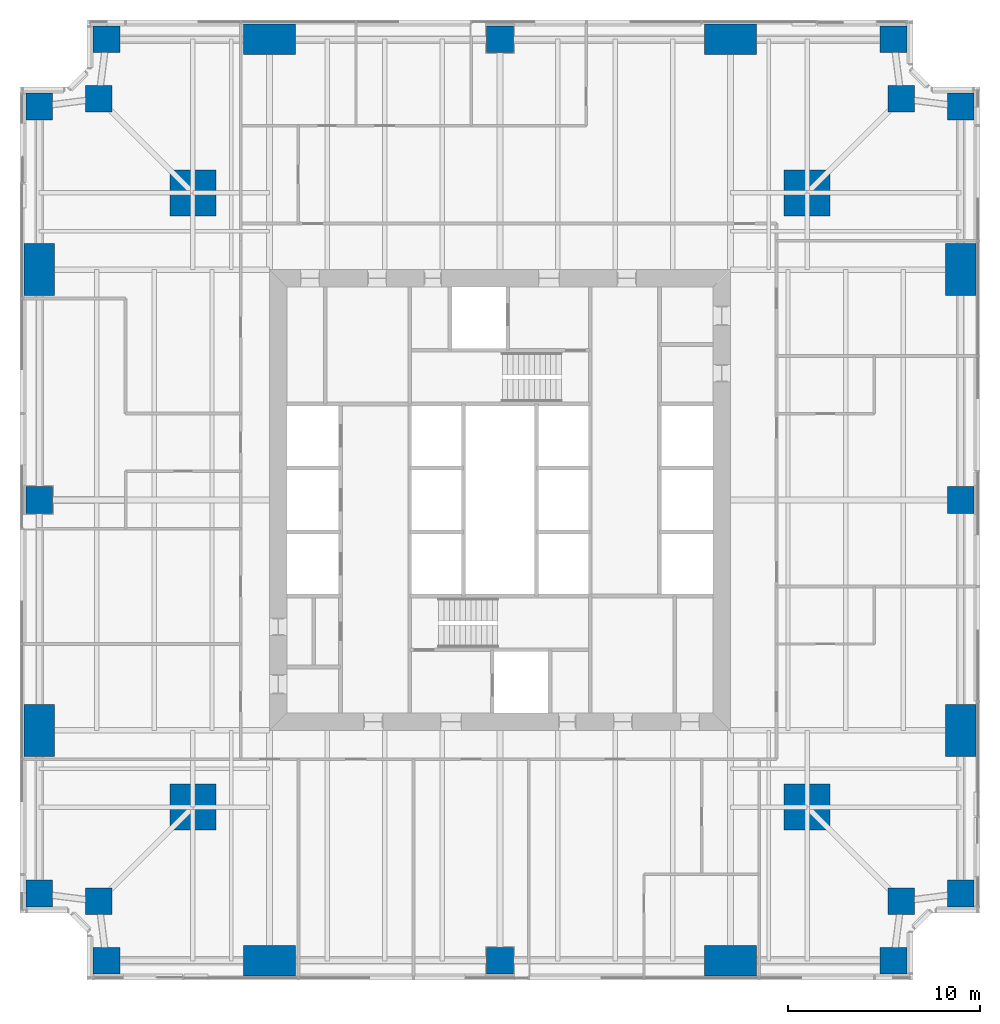
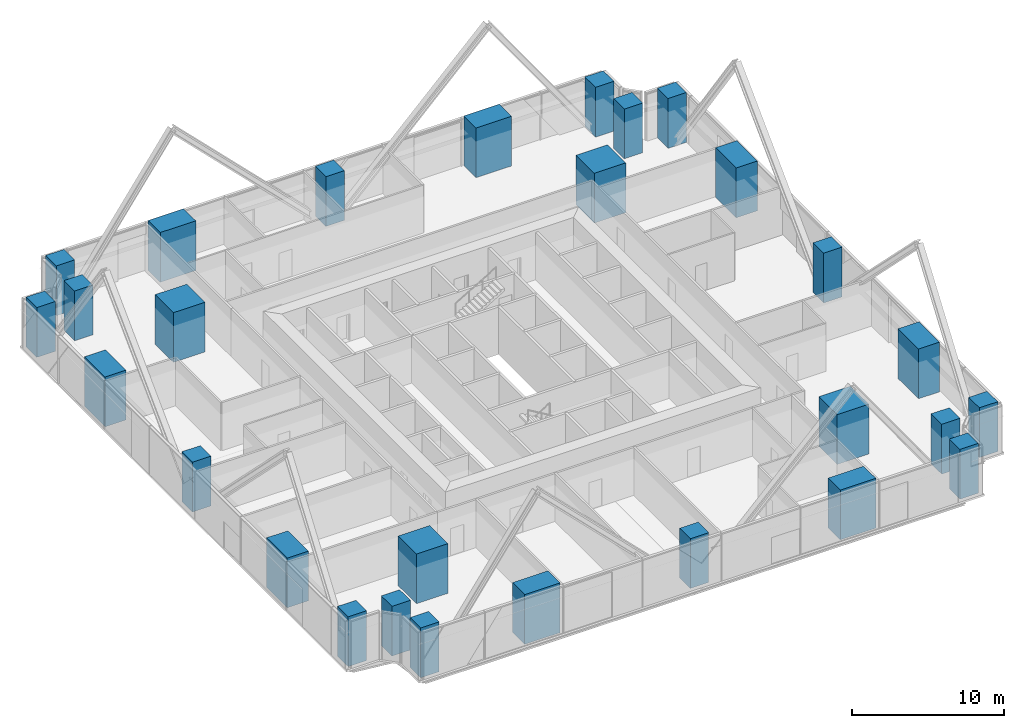
# One storey, part 1 of 13: 28 columns.
"""IFC4 building model written with IfcOpenShell, lengths in metres."""

from ifc_helpers import new_model, si_unit, direction, frame, origin, origin_2d, place, context, subcontext, project, spatial, rectangle, extrude, material, material_profile, profile_set, type_object, element, save


model = new_model("IFC4")

# Units and contexts
model_context = context("Model", 3, precision=1e-05, world=origin(), true_north=direction((0.0, 1.0)))
body_context = subcontext(model_context, "Body", "Model", "MODEL_VIEW")
ifc_project = project(units=[si_unit("LENGTHUNIT", "METRE"), si_unit("AREAUNIT", "SQUARE_METRE"), si_unit("VOLUMEUNIT", "CUBIC_METRE"), si_unit("PLANEANGLEUNIT", "RADIAN"), si_unit("MASSUNIT", "GRAM", prefix="KILO")], contexts=[model_context])

# Site, building, storey
site_placement = place(None, origin())
site = spatial("IfcSite", under=ifc_project, at=site_placement, CompositionType="ELEMENT")
building_placement = place(site_placement, origin())
building = spatial("IfcBuilding", under=site, at=building_placement, Name="Fenwick Lantern Interchange", CompositionType="ELEMENT")
storey_placement = place(building_placement, frame((0.0, 0.0, 67.0)))
storey = spatial("IfcBuildingStorey", under=building, at=storey_placement, Name="L15", CompositionType="ELEMENT", Elevation=67.0)

# Columns
ifc_material = material(Name="Concrete f'c 70 MPa", Category="concrete")
ifc_material_profile_1 = material_profile(ifc_material, rectangle(XDim=2.39990234375, YDim=2.39990234375, at=origin_2d()), Name="RC2400X2400")
ifc_profile_set_1 = profile_set([ifc_material_profile_1], Name="Concrete f'c 70 MPa")
column_type_1 = type_object("IfcColumnType", Name="MEGA COLUMN RC2400X2400", PredefinedType="COLUMN", material=ifc_profile_set_1)
for number, where, z_axis, x_axis, name in (
    (1, (9.0, 9.0, 0.0), (0.0, 0.0, 1.0), (1.0, 0.0, 0.0), "L15/M1"),
    (2, (41.0, 9.0, 0.0), (0.0, 0.0, 1.0), (1.0, 0.0, 0.0), "L15/M2"),
    (3, (41.0, 41.0, 0.0), (0.0, 0.0, 1.0), (1.0, 0.0, 0.0), "L15/M3"),
    (4, (9.0, 41.0, 0.0), (0.0, 0.0, 1.0), (1.0, 0.0, 0.0), "L15/M4"),
):
    element("IfcColumn", number, at=place(storey_placement, frame(where, z_axis=z_axis, x_axis=x_axis)), inside=storey, type_object=column_type_1, Name=name, PredefinedType="COLUMN", context=body_context, shape_type="SweptSolid", body=[
        extrude(rectangle(XDim=2.39990234375, YDim=2.39990234375, at=origin_2d()), origin(), (0.0, 0.0, 1.0), 4.0),
    ])
ifc_material_profile_2 = material_profile(ifc_material, rectangle(XDim=1.39990234375, YDim=1.39990234375, at=origin_2d()), Name="RC1400X1400")
ifc_profile_set_2 = profile_set([ifc_material_profile_2], Name="Concrete f'c 70 MPa")
column_type_2 = type_object("IfcColumnType", Name="PERIMETER COLUMN RC1400X1400", PredefinedType="COLUMN", material=ifc_profile_set_2)
for number, where, z_axis, x_axis, name in (
    (5, (4.5, 1.0, 0.0), (0.0, 0.0, 1.0), (1.0, 0.0, 0.0), "L15/CS1"),
    (6, (25.0, 1.0, 0.0), (0.0, 0.0, 1.0), (1.0, 0.0, 0.0), "L15/CS3"),
    (7, (45.5, 1.0, 0.0), (0.0, 0.0, 1.0), (1.0, 0.0, 0.0), "L15/CS5"),
    (8, (45.89990234375, 4.10009765625, 0.0), (0.0, 0.0, 1.0), (1.0, 0.0, 0.0), "L15/CSR"),
    (9, (49.0, 4.5, 0.0), (0.0, 0.0, 1.0), (1.0, 0.0, 0.0), "L15/CE1"),
    (10, (49.0, 25.0, 0.0), (0.0, 0.0, 1.0), (1.0, 0.0, 0.0), "L15/CE3"),
    (11, (49.0, 45.5, 0.0), (0.0, 0.0, 1.0), (1.0, 0.0, 0.0), "L15/CE5"),
    (12, (45.89990234375, 45.89990234375, 0.0), (0.0, 0.0, 1.0), (1.0, 0.0, 0.0), "L15/CER"),
    (13, (45.5, 49.0, 0.0), (0.0, 0.0, 1.0), (1.0, 0.0, 0.0), "L15/CN1"),
    (14, (25.0, 49.0, 0.0), (0.0, 0.0, 1.0), (1.0, 0.0, 0.0), "L15/CN3"),
    (15, (4.5, 49.0, 0.0), (0.0, 0.0, 1.0), (1.0, 0.0, 0.0), "L15/CN5"),
    (16, (4.10009765625, 45.89990234375, 0.0), (0.0, 0.0, 1.0), (1.0, 0.0, 0.0), "L15/CNR"),
    (17, (1.0, 45.5, 0.0), (0.0, 0.0, 1.0), (1.0, 0.0, 0.0), "L15/CW1"),
    (18, (1.0, 25.0, 0.0), (0.0, 0.0, 1.0), (1.0, 0.0, 0.0), "L15/CW3"),
    (19, (1.0, 4.5, 0.0), (0.0, 0.0, 1.0), (1.0, 0.0, 0.0), "L15/CW5"),
    (20, (4.10009765625, 4.10009765625, 0.0), (0.0, 0.0, 1.0), (1.0, 0.0, 0.0), "L15/CWR"),
):
    element("IfcColumn", number, at=place(storey_placement, frame(where, z_axis=z_axis, x_axis=x_axis)), inside=storey, type_object=column_type_2, Name=name, PredefinedType="COLUMN", context=body_context, shape_type="SweptSolid", body=[
        extrude(rectangle(XDim=1.39990234375, YDim=1.39990234375, at=origin_2d()), origin(), (0.0, 0.0, 1.0), 4.0),
    ])
ifc_material_profile_3 = material_profile(ifc_material, rectangle(XDim=1.60009765625, YDim=2.699951171875, at=origin_2d()), Name="RC1600X2700")
ifc_profile_set_3 = profile_set([ifc_material_profile_3], Name="Concrete f'c 70 MPa")
column_type_3 = type_object("IfcColumnType", Name="PERIMETER COLUMN RC1600X2700", PredefinedType="COLUMN", material=ifc_profile_set_3)
for number, where, z_axis, x_axis, name in (
    (21, (49.0, 13.0, 0.0), (0.0, 0.0, 1.0), (1.0, 0.0, 0.0), "L15/CE2"),
    (22, (49.0, 37.0, 0.0), (0.0, 0.0, 1.0), (1.0, 0.0, 0.0), "L15/CE4"),
    (23, (1.0, 37.0, 0.0), (0.0, 0.0, 1.0), (1.0, 0.0, 0.0), "L15/CW2"),
    (24, (1.0, 13.0, 0.0), (0.0, 0.0, 1.0), (1.0, 0.0, 0.0), "L15/CW4"),
):
    element("IfcColumn", number, at=place(storey_placement, frame(where, z_axis=z_axis, x_axis=x_axis)), inside=storey, type_object=column_type_3, Name=name, PredefinedType="COLUMN", context=body_context, shape_type="SweptSolid", body=[
        extrude(rectangle(XDim=1.60009765625, YDim=2.699951171875, at=origin_2d()), origin(), (0.0, 0.0, 1.0), 4.0),
    ])
ifc_material_profile_4 = material_profile(ifc_material, rectangle(XDim=2.699951171875, YDim=1.60009765625, at=origin_2d()), Name="RC2700X1600")
ifc_profile_set_4 = profile_set([ifc_material_profile_4], Name="Concrete f'c 70 MPa")
column_type_4 = type_object("IfcColumnType", Name="PERIMETER COLUMN RC2700X1600", PredefinedType="COLUMN", material=ifc_profile_set_4)
for number, where, z_axis, x_axis, name in (
    (25, (13.0, 1.0, 0.0), (0.0, 0.0, 1.0), (1.0, 0.0, 0.0), "L15/CS2"),
    (26, (37.0, 1.0, 0.0), (0.0, 0.0, 1.0), (1.0, 0.0, 0.0), "L15/CS4"),
    (27, (37.0, 49.0, 0.0), (0.0, 0.0, 1.0), (1.0, 0.0, 0.0), "L15/CN2"),
    (28, (13.0, 49.0, 0.0), (0.0, 0.0, 1.0), (1.0, 0.0, 0.0), "L15/CN4"),
):
    element("IfcColumn", number, at=place(storey_placement, frame(where, z_axis=z_axis, x_axis=x_axis)), inside=storey, type_object=column_type_4, Name=name, PredefinedType="COLUMN", context=body_context, shape_type="SweptSolid", body=[
        extrude(rectangle(XDim=2.699951171875, YDim=1.60009765625, at=origin_2d()), origin(), (0.0, 0.0, 1.0), 4.0),
    ])

save(model, "model.ifc")
